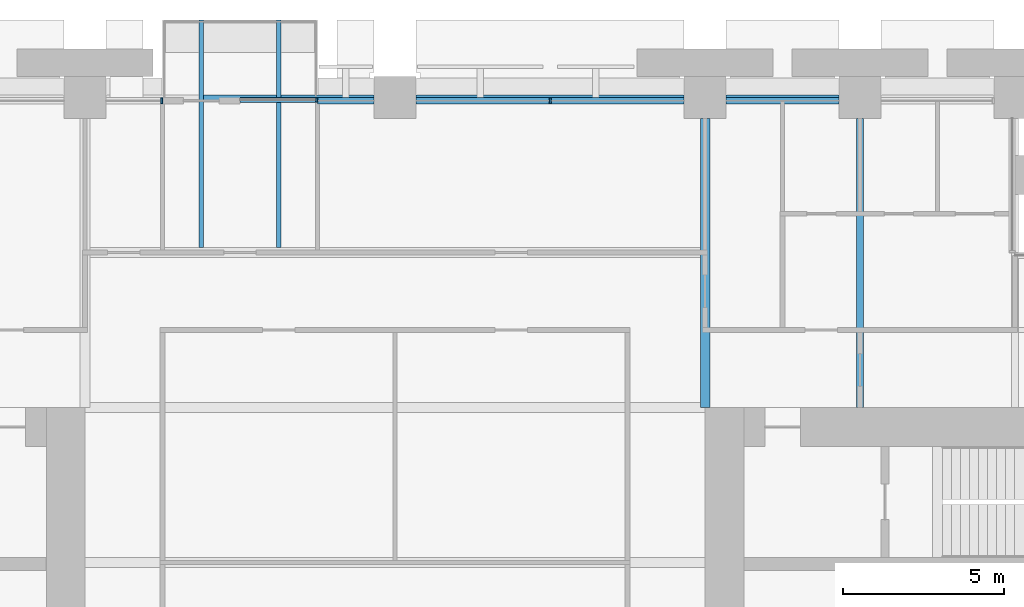
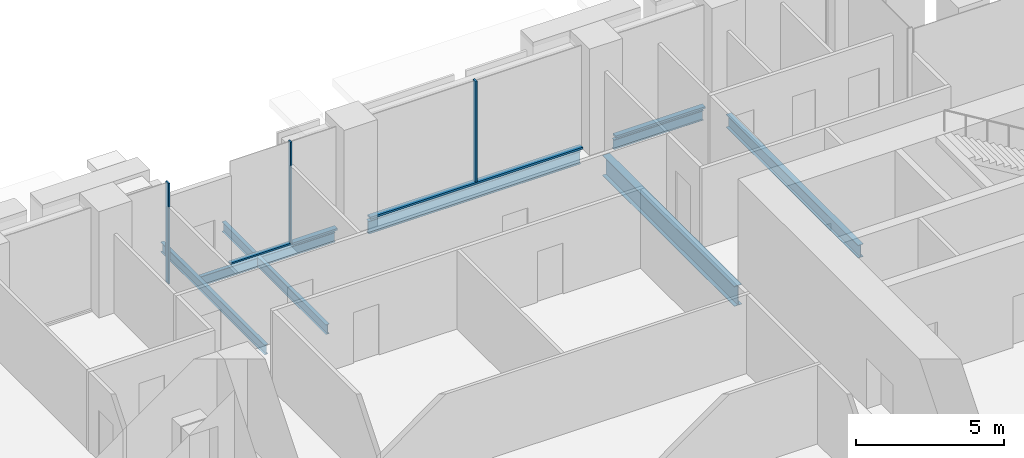
# One storey, part 16 of 32: 8 beams, 7 members, 3 elements without a shape of their own.
"""IFC4 building model written with IfcOpenShell, lengths in metres."""

from ifc_helpers import new_model, si_unit, direction, frame, origin, origin_2d, place, context, subcontext, project, spatial, rectangle, i_section, extrude, material, material_profile, profile_set, type_object, element, aggregate, save


model = new_model("IFC4")

# Units and contexts
model_context = context("Model", 3, precision=1e-05, world=origin(), true_north=direction((0.0, 1.0)))
body_context = subcontext(model_context, "Body", "Model", "MODEL_VIEW")
ifc_project = project(units=[si_unit("LENGTHUNIT", "METRE"), si_unit("AREAUNIT", "SQUARE_METRE"), si_unit("VOLUMEUNIT", "CUBIC_METRE"), si_unit("PLANEANGLEUNIT", "RADIAN"), si_unit("MASSUNIT", "GRAM", prefix="KILO")], contexts=[model_context])

# Site, building, storey
site_placement = place(None, origin())
site = spatial("IfcSite", under=ifc_project, at=site_placement, CompositionType="ELEMENT")
building_placement = place(site_placement, origin())
building = spatial("IfcBuilding", under=site, at=building_placement, Name="Baori Bourse Tower", CompositionType="ELEMENT")
storey_placement = place(building_placement, frame((0.0, 0.0, 21.39990234375)))
storey = spatial("IfcBuildingStorey", under=building, at=storey_placement, Name="L03", CompositionType="ELEMENT", Elevation=21.39990234375)

# Beams
ifc_material_1 = material(Name="Steel A992 Gr 50", Category="steel")
ifc_material_profile_1 = material_profile(ifc_material_1, i_section(OverallWidth=0.140380859375, OverallDepth=0.40380859375, WebThickness=0.007080078125, FlangeThickness=0.01123046875, at=origin_2d()), Name="W16x31")
ifc_profile_set_1 = profile_set([ifc_material_profile_1], Name="Steel A992 Gr 50")
beam_type_1 = type_object("IfcBeamType", Name="Balcony beam W16x31", PredefinedType="BEAM", material=ifc_profile_set_1)
for number, where, z_axis, x_axis, name in (
    (1, (22.800048828125, 50.39990234375, -0.36181640625), (0.0, -1.0, 0.0), (1.0, 0.0, 0.0), "Balcony beam L03"),
    (2, (25.199951171875, 50.39990234375, -0.36181640625), (0.0, -1.0, 0.0), (1.0, 0.0, 0.0), "Balcony beam L03"),
):
    element("IfcBeam", number, at=place(storey_placement, frame(where, z_axis=z_axis, x_axis=x_axis)), inside=storey, type_object=beam_type_1, Name=name, PredefinedType="BEAM", context=body_context, shape_type="SweptSolid", body=[
        extrude(i_section(OverallWidth=0.140380859375, OverallDepth=0.40380859375, WebThickness=0.007080078125, FlangeThickness=0.01123046875, at=origin_2d()), origin(), (0.0, 0.0, 1.0), 7.050048828125),
    ])

# Curtain wall, member
ifc_material_2 = material(Name="Pale anodised aluminium", Category="aluminium")
curtain_wall_type_1 = type_object("IfcCurtainWallType", Name="CW1 Curtain wall", PredefinedType="NOTDEFINED", material=ifc_material_2)
curtain_wall_1_placement = place(storey_placement, origin())
curtain_wall_1 = element("IfcCurtainWall", 3, at=curtain_wall_1_placement, inside=storey, type_object=curtain_wall_type_1, Name="Curtain wall CW1 L03 4", PredefinedType="NOTDEFINED")
ifc_material_3 = material(Name="Pale anodised aluminium", Category="aluminium")
ifc_material_profile_2 = material_profile(ifc_material_3, rectangle(XDim=0.199951171875, YDim=0.06005859375, at=origin_2d()), Name="Mullion 60x200")
ifc_profile_set_2 = profile_set([ifc_material_profile_2], Name="Pale anodised aluminium")
member_type_1 = type_object("IfcMemberType", Name="CW1 Curtain wall mullion", PredefinedType="MULLION", material=ifc_profile_set_2)
member_1_placement = place(storey_placement, frame((33.60009765625, 47.89990234375, 0.080078125), z_axis=(0.0, 0.0, 1.0), x_axis=(0.0, -1.0, 0.0)))
member_1 = element("IfcMember", 4, at=member_1_placement, type_object=member_type_1, Name="Curtain wall CW1 mullion", PredefinedType="MULLION", context=body_context, shape_type="SweptSolid", body=[
    extrude(rectangle(XDim=0.199951171875, YDim=0.06005859375, at=origin_2d()), origin(), (0.0, 0.0, 1.0), 4.159912109375),
])

curtain_wall_2_placement = place(storey_placement, origin())
curtain_wall_2 = element("IfcCurtainWall", 5, at=curtain_wall_2_placement, inside=storey, type_object=curtain_wall_type_1, Name="Curtain wall CW1 L03 6", PredefinedType="NOTDEFINED")
member_2_placement = place(storey_placement, frame((21.570068359375, 47.89990234375, 0.080078125), z_axis=(0.0, 0.0, 1.0), x_axis=(0.0, -1.0, 0.0)))
member_2 = element("IfcMember", 6, at=member_2_placement, type_object=member_type_1, Name="Curtain wall CW1 mullion", PredefinedType="MULLION", context=body_context, shape_type="SweptSolid", body=[
    extrude(rectangle(XDim=0.199951171875, YDim=0.06005859375, at=origin_2d()), origin(), (0.0, 0.0, 1.0), 4.159912109375),
])
aggregate(curtain_wall_2, [member_2])

# Member
ifc_material_4 = material(Name="Pale anodised aluminium", Category="aluminium")
ifc_material_profile_3 = material_profile(ifc_material_4, rectangle(XDim=0.199951171875, YDim=0.080078125, at=origin_2d()), Name="Transom 80x200")
ifc_profile_set_3 = profile_set([ifc_material_profile_3], Name="Pale anodised aluminium")
member_type_2 = type_object("IfcMemberType", Name="CW1 Curtain wall transom", PredefinedType="USERDEFINED", material=ifc_profile_set_3)
member_3_placement = place(storey_placement, frame((42.550048828125, 47.89990234375, 0.0400390625), z_axis=(-1.0, 0.0, 0.0), x_axis=(0.0, -1.0, 0.0)))
member_3 = element("IfcMember", 7, at=member_3_placement, type_object=member_type_2, Name="Curtain wall CW1 sill rail", ObjectType="TRANSOM", PredefinedType="USERDEFINED", context=body_context, shape_type="SweptSolid", body=[
    extrude(rectangle(XDim=0.199951171875, YDim=0.080078125, at=origin_2d()), origin(), (0.0, 0.0, 1.0), 3.5),
])

member_4_placement = place(storey_placement, frame((37.75, 47.89990234375, 0.0400390625), z_axis=(-1.0, 0.0, 0.0), x_axis=(0.0, -1.0, 0.0)))
member_4 = element("IfcMember", 8, at=member_4_placement, type_object=member_type_2, Name="Curtain wall CW1 sill rail", ObjectType="TRANSOM", PredefinedType="USERDEFINED", context=body_context, shape_type="SweptSolid", body=[
    extrude(rectangle(XDim=0.199951171875, YDim=0.080078125, at=origin_2d()), origin(), (0.0, 0.0, 1.0), 8.300048828125),
])

member_5_placement = place(storey_placement, frame((28.14990234375, 47.89990234375, 0.0400390625), z_axis=(-1.0, 0.0, 0.0), x_axis=(0.0, -1.0, 0.0)))
member_5 = element("IfcMember", 9, at=member_5_placement, type_object=member_type_2, Name="Curtain wall CW1 sill rail", ObjectType="TRANSOM", PredefinedType="USERDEFINED", context=body_context, shape_type="SweptSolid", body=[
    extrude(rectangle(XDim=0.199951171875, YDim=0.080078125, at=origin_2d()), origin(), (0.0, 0.0, 1.0), 1.75),
])

aggregate(curtain_wall_1, [member_3, member_4, member_1, member_5])

# Curtain wall, members
ifc_material_5 = material(Name="Pale anodised aluminium", Category="aluminium")
curtain_wall_type_2 = type_object("IfcCurtainWallType", Name="CW6 Curtain wall", PredefinedType="NOTDEFINED", material=ifc_material_5)
curtain_wall_3_placement = place(storey_placement, origin())
curtain_wall_3 = element("IfcCurtainWall", 10, at=curtain_wall_3_placement, inside=storey, type_object=curtain_wall_type_2, Name="Curtain wall CW6 L03 5", PredefinedType="NOTDEFINED")
ifc_material_6 = material(Name="Pale anodised aluminium", Category="aluminium")
ifc_material_profile_4 = material_profile(ifc_material_6, rectangle(XDim=0.14990234375, YDim=0.050048828125, at=origin_2d()), Name="Mullion 50x150")
ifc_profile_set_4 = profile_set([ifc_material_profile_4], Name="Pale anodised aluminium")
member_type_3 = type_object("IfcMemberType", Name="CW6 Curtain wall mullion", PredefinedType="MULLION", material=ifc_profile_set_4)
member_6_placement = place(storey_placement, frame((26.375, 47.925048828125, 0.065185546875), z_axis=(0.0, 0.0, 1.0), x_axis=(0.0, -1.0, 0.0)))
member_6 = element("IfcMember", 11, at=member_6_placement, type_object=member_type_3, Name="Curtain wall CW6 mullion", PredefinedType="MULLION", context=body_context, shape_type="SweptSolid", body=[
    extrude(rectangle(XDim=0.14990234375, YDim=0.050048828125, at=origin_2d()), origin(), (0.0, 0.0, 1.0), 4.1748046875),
])
ifc_material_7 = material(Name="Pale anodised aluminium", Category="aluminium")
ifc_material_profile_5 = material_profile(ifc_material_7, rectangle(XDim=0.14990234375, YDim=0.06494140625, at=origin_2d()), Name="Transom 65x150")
ifc_profile_set_5 = profile_set([ifc_material_profile_5], Name="Pale anodised aluminium")
member_type_4 = type_object("IfcMemberType", Name="CW6 Curtain wall transom", PredefinedType="USERDEFINED", material=ifc_profile_set_5)
member_7_placement = place(storey_placement, frame((26.39990234375, 47.925048828125, 0.03271484375), z_axis=(-1.0, 0.0, 0.0), x_axis=(0.0, -1.0, 0.0)))
member_7 = element("IfcMember", 12, at=member_7_placement, type_object=member_type_4, Name="Curtain wall CW6 sill rail", ObjectType="TRANSOM", PredefinedType="USERDEFINED", context=body_context, shape_type="SweptSolid", body=[
    extrude(rectangle(XDim=0.14990234375, YDim=0.06494140625, at=origin_2d()), origin(), (0.0, 0.0, 1.0), 2.39990234375),
])
aggregate(curtain_wall_3, [member_7, member_6])

# Beams
ifc_material_8 = material(Name="Steel A992 Gr 50", Category="steel")
ifc_material_profile_6 = material_profile(ifc_material_8, i_section(OverallWidth=0.140380859375, OverallDepth=0.40380859375, WebThickness=0.007080078125, FlangeThickness=0.01123046875, at=origin_2d()), Name="W16x31")
ifc_profile_set_6 = profile_set([ifc_material_profile_6], Name="Steel A992 Gr 50")
beam_type_2 = type_object("IfcBeamType", Name="Edge beam W16x31", PredefinedType="BEAM", material=ifc_profile_set_6)
beam_1_placement = place(storey_placement, frame((22.8701171875, 48.0, -0.36181640625), z_axis=(1.0, 0.0, 0.0), x_axis=(0.0, 1.0, 0.0)))
element("IfcBeam", 13, at=beam_1_placement, inside=storey, type_object=beam_type_2, Name="Edge beam L03", PredefinedType="BEAM", context=body_context, shape_type="SweptSolid", body=[
    extrude(i_section(OverallWidth=0.140380859375, OverallDepth=0.40380859375, WebThickness=0.007080078125, FlangeThickness=0.01123046875, at=origin_2d()), origin(), (0.0, 0.0, 1.0), 2.259765625),
])
beam_2_placement = place(storey_placement, frame((25.270263671875, 48.0, -0.36181640625), z_axis=(1.0, 0.0, 0.0), x_axis=(0.0, 1.0, 0.0)))
element("IfcBeam", 14, at=beam_2_placement, inside=storey, type_object=beam_type_2, Name="Edge beam L03", PredefinedType="BEAM", context=body_context, shape_type="SweptSolid", body=[
    extrude(i_section(OverallWidth=0.140380859375, OverallDepth=0.40380859375, WebThickness=0.007080078125, FlangeThickness=0.01123046875, at=origin_2d()), origin(), (0.0, 0.0, 1.0), 2.879638671875),
])
beam_3_placement = place(storey_placement, frame((39.050048828125, 48.0, -0.36181640625), z_axis=(1.0, 0.0, 0.0), x_axis=(0.0, 1.0, 0.0)))
element("IfcBeam", 15, at=beam_3_placement, inside=storey, type_object=beam_type_2, Name="Edge beam L03", PredefinedType="BEAM", context=body_context, shape_type="SweptSolid", body=[
    extrude(i_section(OverallWidth=0.140380859375, OverallDepth=0.40380859375, WebThickness=0.007080078125, FlangeThickness=0.01123046875, at=origin_2d()), origin(), (0.0, 0.0, 1.0), 3.5),
])
ifc_material_9 = material(Name="Steel A992 Gr 50", Category="steel")
ifc_material_profile_7 = material_profile(ifc_material_9, i_section(OverallWidth=0.1650390625, OverallDepth=0.52587890625, WebThickness=0.0087890625, FlangeThickness=0.011474609375, at=origin_2d()), Name="W21x44")
ifc_profile_set_7 = profile_set([ifc_material_profile_7], Name="Steel A992 Gr 50")
beam_type_3 = type_object("IfcBeamType", Name="Edge beam W21x44", PredefinedType="BEAM", material=ifc_profile_set_7)
beam_4_placement = place(storey_placement, frame((29.449951171875, 48.0, -0.4228515625), z_axis=(1.0, 0.0, 0.0), x_axis=(0.0, 1.0, 0.0)))
element("IfcBeam", 16, at=beam_4_placement, inside=storey, type_object=beam_type_3, Name="Edge beam L03", PredefinedType="BEAM", context=body_context, shape_type="SweptSolid", body=[
    extrude(i_section(OverallWidth=0.1650390625, OverallDepth=0.52587890625, WebThickness=0.0087890625, FlangeThickness=0.011474609375, at=origin_2d()), origin(), (0.0, 0.0, 1.0), 8.300048828125),
])
ifc_material_10 = material(Name="Steel A992 Gr 50", Category="steel")
ifc_material_profile_8 = material_profile(ifc_material_10, i_section(OverallWidth=0.209228515625, OverallDepth=0.533447265625, WebThickness=0.01025390625, FlangeThickness=0.015625, at=origin_2d()), Name="W21x62")
ifc_profile_set_8 = profile_set([ifc_material_profile_8], Name="Steel A992 Gr 50")
beam_type_4 = type_object("IfcBeamType", Name="Floor beam W21x62", PredefinedType="BEAM", material=ifc_profile_set_8)
beam_5_placement = place(storey_placement, frame((43.199951171875, 38.39990234375, -0.426513671875), z_axis=(0.0, 1.0, 0.0), x_axis=(-1.0, 0.0, 0.0)))
element("IfcBeam", 17, at=beam_5_placement, inside=storey, type_object=beam_type_4, Name="Floor beam L03", PredefinedType="BEAM", context=body_context, shape_type="SweptSolid", body=[
    extrude(i_section(OverallWidth=0.209228515625, OverallDepth=0.533447265625, WebThickness=0.01025390625, FlangeThickness=0.015625, at=origin_2d()), origin(), (0.0, 0.0, 1.0), 8.9501953125),
])
ifc_material_11 = material(Name="Steel A992 Gr 50", Category="steel")
ifc_material_profile_9 = material_profile(ifc_material_11, i_section(OverallWidth=0.2919921875, OverallDepth=0.835693359375, WebThickness=0.013916015625, FlangeThickness=0.018798828125, at=origin_2d()), Name="W33x118")
ifc_profile_set_9 = profile_set([ifc_material_profile_9], Name="Steel A992 Gr 50")
beam_type_5 = type_object("IfcBeamType", Name="Girder W33x118", PredefinedType="BEAM", material=ifc_profile_set_9)
beam_6_placement = place(storey_placement, frame((38.39990234375, 38.39990234375, -0.57763671875), z_axis=(0.0, 1.0, 0.0), x_axis=(-1.0, 0.0, 0.0)))
element("IfcBeam", 18, at=beam_6_placement, inside=storey, type_object=beam_type_5, Name="Girder L03", PredefinedType="BEAM", context=body_context, shape_type="SweptSolid", body=[
    extrude(i_section(OverallWidth=0.2919921875, OverallDepth=0.835693359375, WebThickness=0.013916015625, FlangeThickness=0.018798828125, at=origin_2d()), origin(), (0.0, 0.0, 1.0), 8.9501953125),
])

save(model, "model.ifc")
